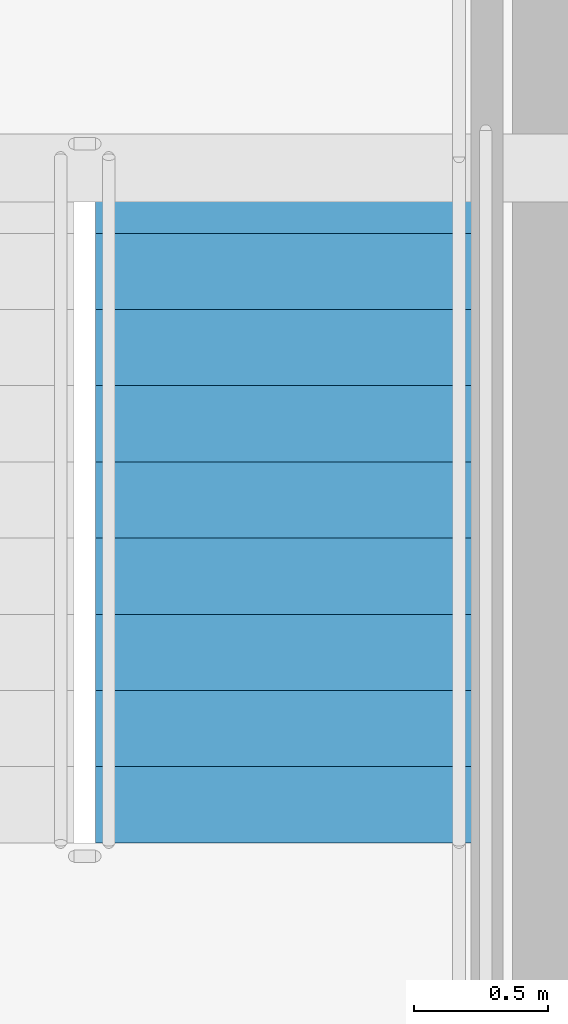
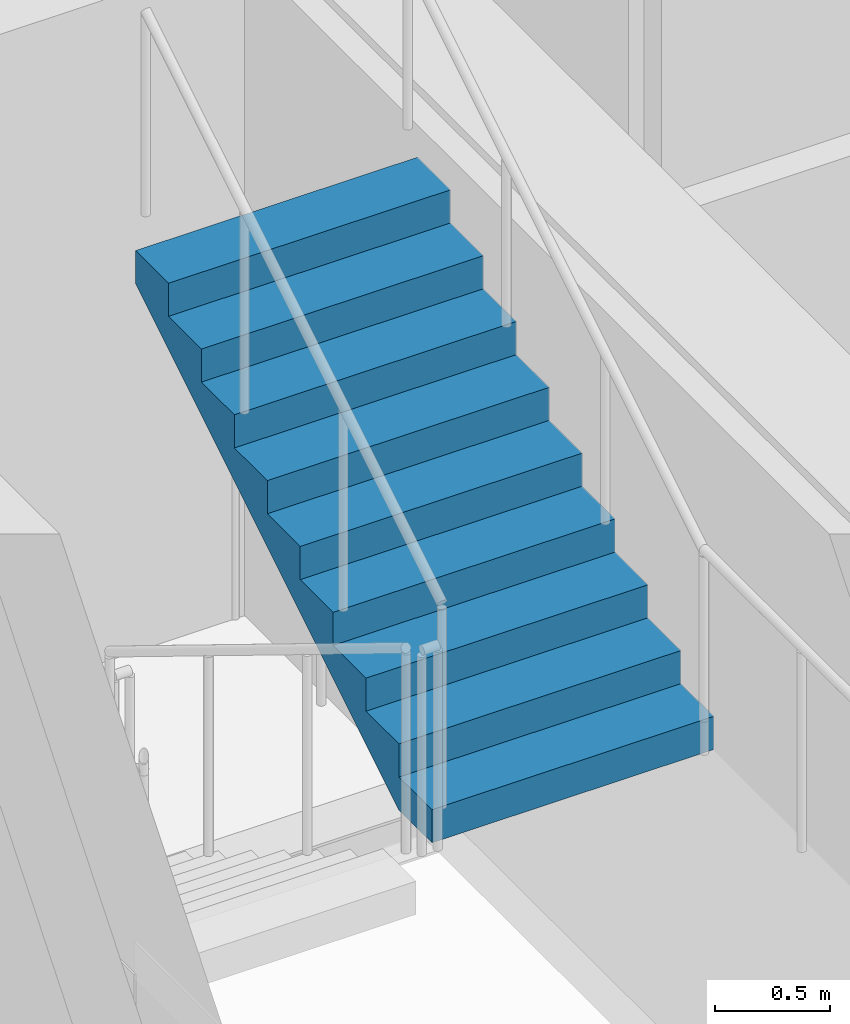
# One storey, part 20 of 22: 1 stair flight, 1 element without a shape of its own.
"""IFC4 building model written with IfcOpenShell, lengths in metres."""

from ifc_helpers import new_model, si_unit, direction, frame, origin, place, context, subcontext, project, spatial, polyline, outline, extrude, material, type_object, element, aggregate, save


model = new_model("IFC4")

# Units and contexts
model_context = context("Model", 3, precision=1e-05, world=origin(), true_north=direction((0.0, 1.0)))
body_context = subcontext(model_context, "Body", "Model", "MODEL_VIEW")
ifc_project = project(units=[si_unit("LENGTHUNIT", "METRE"), si_unit("AREAUNIT", "SQUARE_METRE"), si_unit("VOLUMEUNIT", "CUBIC_METRE"), si_unit("PLANEANGLEUNIT", "RADIAN"), si_unit("MASSUNIT", "GRAM", prefix="KILO")], contexts=[model_context])

# Site, building, storey
site_placement = place(None, origin())
site = spatial("IfcSite", under=ifc_project, at=site_placement, CompositionType="ELEMENT")
building_placement = place(site_placement, origin())
building = spatial("IfcBuilding", under=site, at=building_placement, Name="Bramvorn Convention Spire", CompositionType="ELEMENT")
storey_placement = place(building_placement, frame((0.0, 0.0, 134.300048828125)))
storey = spatial("IfcBuildingStorey", under=building, at=storey_placement, Name="L33", CompositionType="ELEMENT", Elevation=134.300048828125)

# Stair, stair flight
ifc_material_1 = material(Name="Concrete C40/50 Precast Stair", Category="concrete")
stair_type = type_object("IfcStairType", Name="ST-TOWER-1550", PredefinedType="HALF_TURN_STAIR", material=ifc_material_1)
stair_placement = place(storey_placement, origin())
stair = element("IfcStair", 1, at=stair_placement, inside=storey, type_object=stair_type, Name="L33 Protected Exit Stair ST2", PredefinedType="HALF_TURN_STAIR")
ifc_material_2 = material(Name="Concrete C40/50 Precast Stair Flight", Category="concrete")
stair_flight_type = type_object("IfcStairFlightType", Name="STF-TOWER-1550", PredefinedType="STRAIGHT", material=ifc_material_2)
stair_flight_placement = place(storey_placement, frame((47.844970703125, 22.485107421875, 1.75), z_axis=(0.0, 0.0, 1.0), x_axis=(0.0, 1.0, 0.0)))
stair_flight = element("IfcStairFlight", 2, at=stair_flight_placement, type_object=stair_flight_type, Name="ST2 flight 2", NumberOfRisers=10, NumberOfTreads=9, PredefinedType="STRAIGHT", RiserHeight=0.175, TreadLength=0.285, context=body_context, shape_type="SweptSolid", body=[
    extrude(outline(polyline([(0.0, 0.0), (0.0, 0.175048828125), (0.284912109375, 0.175048828125), (0.284912109375, 0.35009765625), (0.570068359375, 0.35009765625), (0.570068359375, 0.52490234375), (0.85498046875, 0.52490234375), (0.85498046875, 0.699951171875), (1.139892578125, 0.699951171875), (1.139892578125, 0.875), (1.425048828125, 0.875), (1.425048828125, 1.050048828125), (1.7099609375, 1.050048828125), (1.7099609375, 1.22509765625), (1.9951171875, 1.22509765625), (1.9951171875, 1.39990234375), (2.280029296875, 1.39990234375), (2.280029296875, 1.574951171875), (2.56494140625, 1.574951171875), (2.56494140625, 1.75), (2.56494140625, 1.399169921875), (0.286376953125, 0.0), (0.0, 0.0)])), frame((0.0, 0.705078125, 0.0), z_axis=(0.0, -1.0, 0.0), x_axis=(1.0, 0.0, 0.0)), (0.0, 0.0, 1.0), 1.409912109375),
])
aggregate(stair, [stair_flight])

save(model, "model.ifc")
